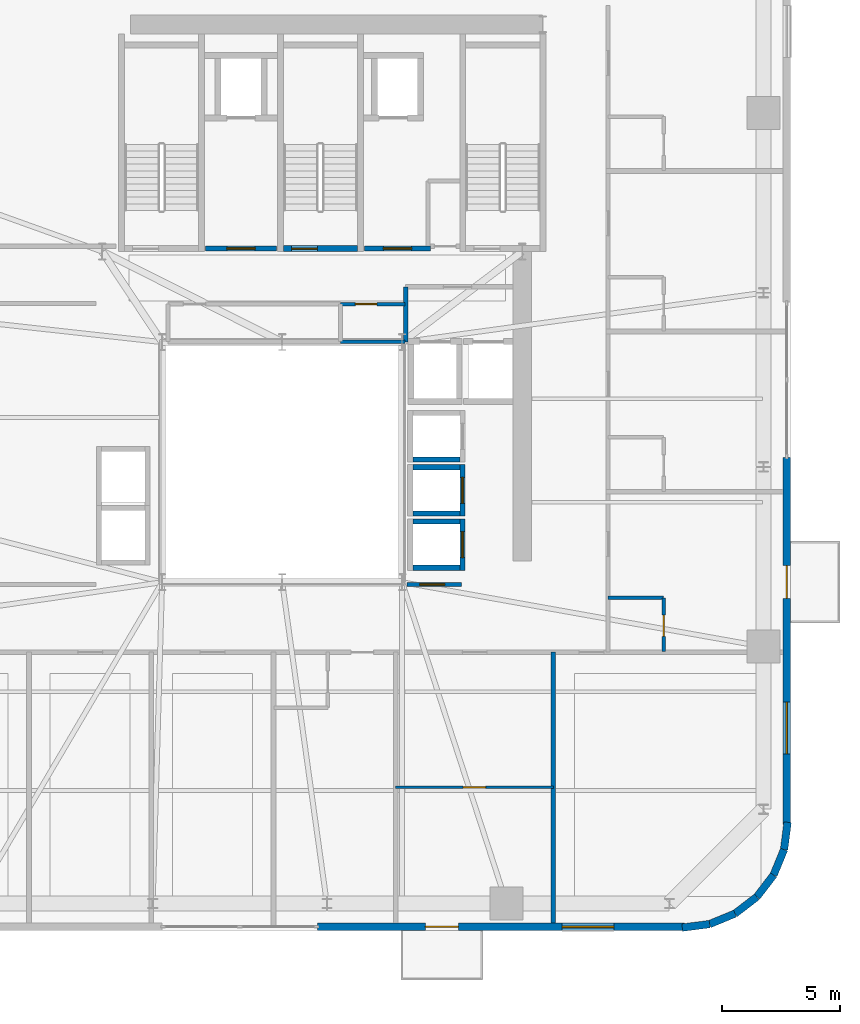
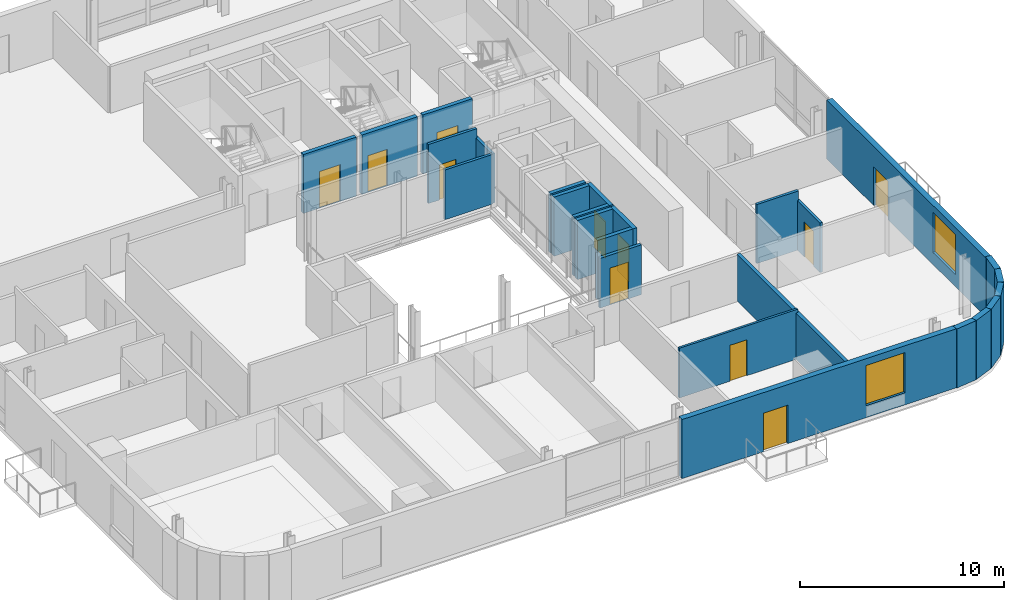
# One storey, part 9 of 16: 26 walls, 11 doors, 2 windows, 13 openings.
"""IFC4 building model written with IfcOpenShell, lengths in metres."""

from ifc_helpers import new_model, si_unit, direction, frame, frame_2d, origin, place, context, subcontext, project, spatial, rectangle, extrude, source, transform, mapped, material, layer, layer_set, type_object, element, fill, save


model = new_model("IFC4")

# Units and contexts
model_context = context("Model", 3, precision=1e-05, world=origin(), true_north=direction((0.0, 1.0)))
body_context = subcontext(model_context, "Body", "Model", "MODEL_VIEW")
ifc_project = project(units=[si_unit("LENGTHUNIT", "METRE"), si_unit("AREAUNIT", "SQUARE_METRE"), si_unit("VOLUMEUNIT", "CUBIC_METRE"), si_unit("PLANEANGLEUNIT", "RADIAN"), si_unit("MASSUNIT", "GRAM", prefix="KILO")], contexts=[model_context])

# Site, building, storey
site_placement = place(None, origin())
site = spatial("IfcSite", under=ifc_project, at=site_placement, CompositionType="ELEMENT")
building_placement = place(site_placement, origin())
building = spatial("IfcBuilding", under=site, at=building_placement, Name="Vardaveli Station Tower", CompositionType="ELEMENT")
storey_placement = place(building_placement, frame((0.0, 0.0, 199.800048828125)))
storey = spatial("IfcBuildingStorey", under=building, at=storey_placement, Name="L51", CompositionType="ELEMENT", Elevation=199.800048828125)

# Wall, openings, door, window
ifc_material_1 = material(Name="Precast concrete C45/55", Category="concrete")
ifc_layer_1 = layer(ifc_material_1, 0.320068359375, Name="Precast concrete C45/55")
ifc_layer_set_1 = layer_set([ifc_layer_1], Name="Precast concrete C45/55")
wall_type_1 = type_object("IfcWallType", Name="WAL-EXT-STONE-320", PredefinedType="SOLIDWALL", material=ifc_layer_set_1)
shared_shape_1 = source(origin(), body_context, "Body", "SweptSolid", [
    extrude(rectangle(XDim=15.599853515625, YDim=0.320068359375, at=frame_2d((7.7998046875, 0.0))), origin(), (0.0, 0.0, 1.0), 3.530029296875),
])
wall_1_placement = place(storey_placement, frame((37.800048828125, 1.9599609375, 0.0), z_axis=(0.0, 0.0, 1.0), x_axis=(1.0, 0.0, 0.0)))
wall_1 = element("IfcWall", 1, at=wall_1_placement, inside=storey, type_object=wall_type_1, Name="EW-L51-S2", PredefinedType="SOLIDWALL", context=body_context, shape_type="MappedRepresentation", body=[
    mapped(shared_shape_1, transform((0.0, 0.0, 0.0), scale=1.0)),
])
shared_shape_2 = source(origin(), body_context, "Body", "SweptSolid", [
    extrude(rectangle(XDim=1.39990234375, YDim=2.300048828125, at=frame_2d((0.699951171875, 1.14990234375))), frame((0.0, 0.169921875, 0.0), z_axis=(0.0, -1.0, 0.0), x_axis=(1.0, 0.0, 0.0)), (0.0, 0.0, 1.0), 0.340087890625),
])
opening_1_placement = place(wall_1_placement, frame((4.589599609375, 0.0, 0.0)))
opening_1 = element("IfcOpeningElement", 2, at=opening_1_placement, cuts=wall_1, Name="Opening D-09", PredefinedType="OPENING", context=body_context, shape_type="MappedRepresentation", body=[
    mapped(shared_shape_2, transform((0.0, 0.0, 0.0), scale=1.0)),
])
shared_shape_3 = source(origin(), body_context, "Body", "SweptSolid", [
    extrude(rectangle(XDim=2.199951171875, YDim=2.39990234375, at=frame_2d((1.10009765625, 1.199951171875))), frame((0.0, 0.169921875, 0.0), z_axis=(0.0, -1.0, 0.0), x_axis=(1.0, 0.0, 0.0)), (0.0, 0.0, 1.0), 0.340087890625),
])
opening_2_placement = place(wall_1_placement, frame((10.39501953125, 0.0, 0.719970703125)))
opening_2 = element("IfcOpeningElement", 3, at=opening_2_placement, cuts=wall_1, Name="Opening W-03", PredefinedType="OPENING", context=body_context, shape_type="MappedRepresentation", body=[
    mapped(shared_shape_3, transform((0.0, 0.0, 0.0), scale=1.0)),
])
ifc_material_2 = material(Name="Thermally broken aluminium glass", Category="aluminium")
door_type_1 = type_object("IfcDoorType", Name="DR-LOG-1400x2300", OperationType="DOUBLE_DOOR_SLIDING", PredefinedType="DOOR", material=ifc_material_2)
shared_shape_4 = source(origin(), body_context, "Body", "SweptSolid", [
    extrude(rectangle(XDim=1.39990234375, YDim=2.300048828125, at=frame_2d((0.699951171875, 1.14990234375))), frame((0.0, 0.02490234375, 0.0), z_axis=(0.0, -1.0, 0.0), x_axis=(1.0, 0.0, 0.0)), (0.0, 0.0, 1.0), 0.050048828125),
])
door_1_placement = place(opening_1_placement, frame((1.39990234375, 0.0, 0.0), z_axis=(0.0, 0.0, 1.0), x_axis=(-1.0, 0.0, 0.0)))
door_1 = element("IfcDoor", 4, at=door_1_placement, inside=storey, type_object=door_type_1, Name="DLG-L51-S", OperationType="DOUBLE_DOOR_SLIDING", OverallHeight=2.300048828125, OverallWidth=1.39990234375, PredefinedType="DOOR", context=body_context, shape_type="MappedRepresentation", body=[
    mapped(shared_shape_4, transform((0.0, 0.0, 0.0), scale=1.0)),
])
fill(opening_1, door_1)
ifc_material_3 = material(Name="Low-E solar-control glass", Category="glass")
window_type = type_object("IfcWindowType", Name="WIN-LOG-2200x2400", PartitioningType="SINGLE_PANEL", PredefinedType="WINDOW", material=ifc_material_3)
shared_shape_5 = source(origin(), body_context, "Body", "SweptSolid", [
    extrude(rectangle(XDim=2.199951171875, YDim=2.39990234375, at=frame_2d((1.10009765625, 1.199951171875))), frame((0.0, 0.030029296875, 0.0), z_axis=(0.0, -1.0, 0.0), x_axis=(1.0, 0.0, 0.0)), (0.0, 0.0, 1.0), 0.06005859375),
])
window_1_placement = place(opening_2_placement, origin())
window_1 = element("IfcWindow", 5, at=window_1_placement, inside=storey, type_object=window_type, Name="WN-L51-S2", OverallHeight=2.39990234375, OverallWidth=2.199951171875, PartitioningType="SINGLE_PANEL", PredefinedType="WINDOW", context=body_context, shape_type="MappedRepresentation", body=[
    mapped(shared_shape_5, transform((0.0, 0.0, 0.0), scale=1.0)),
])
fill(opening_2, window_1)

wall_2_placement = place(storey_placement, frame((57.739990234375, 6.300048828125, 0.0), z_axis=(0.0, 0.0, 1.0), x_axis=(0.0, 1.0, 0.0)))
wall_2 = element("IfcWall", 6, at=wall_2_placement, inside=storey, type_object=wall_type_1, Name="EW-L51-E1", PredefinedType="SOLIDWALL", context=body_context, shape_type="MappedRepresentation", body=[
    mapped(shared_shape_1, transform((0.0, 0.0, 0.0), scale=1.0)),
])
opening_3_placement = place(wall_2_placement, frame((9.6103515625, 0.0, 0.0)))
opening_3 = element("IfcOpeningElement", 7, at=opening_3_placement, cuts=wall_2, Name="Opening D-09", PredefinedType="OPENING", context=body_context, shape_type="MappedRepresentation", body=[
    mapped(shared_shape_2, transform((0.0, 0.0, 0.0), scale=1.0)),
])
opening_4_placement = place(wall_2_placement, frame((3.0048828125, 0.0, 0.719970703125)))
opening_4 = element("IfcOpeningElement", 8, at=opening_4_placement, cuts=wall_2, Name="Opening W-03", PredefinedType="OPENING", context=body_context, shape_type="MappedRepresentation", body=[
    mapped(shared_shape_3, transform((0.0, 0.0, 0.0), scale=1.0)),
])
door_2_placement = place(opening_3_placement, frame((1.39990234375, 0.0, 0.0), z_axis=(0.0, 0.0, 1.0), x_axis=(-1.0, 0.0, 0.0)))
door_2 = element("IfcDoor", 9, at=door_2_placement, inside=storey, type_object=door_type_1, Name="DLG-L51-E", OperationType="DOUBLE_DOOR_SLIDING", OverallHeight=2.300048828125, OverallWidth=1.39990234375, PredefinedType="DOOR", context=body_context, shape_type="MappedRepresentation", body=[
    mapped(shared_shape_4, transform((0.0, 0.0, 0.0), scale=1.0)),
])
fill(opening_3, door_2)
window_2_placement = place(opening_4_placement, origin())
window_2 = element("IfcWindow", 10, at=window_2_placement, inside=storey, type_object=window_type, Name="WN-L51-E1", OverallHeight=2.39990234375, OverallWidth=2.199951171875, PartitioningType="SINGLE_PANEL", PredefinedType="WINDOW", context=body_context, shape_type="MappedRepresentation", body=[
    mapped(shared_shape_5, transform((0.0, 0.0, 0.0), scale=1.0)),
])
fill(opening_4, window_2)

# Walls
shared_shape_6 = source(origin(), body_context, "Body", "SweptSolid", [
    extrude(rectangle(XDim=1.170654296875, YDim=0.320068359375, at=frame_2d((0.58544921875, 0.0))), origin(), (0.0, 0.0, 1.0), 3.530029296875),
])
wall_3_placement = place(storey_placement, frame((57.62548828125, 5.23974609375, 0.0), z_axis=(0.0, 0.0, 1.0), x_axis=(0.128269133229, 0.991739395941, 0.0)))
element("IfcWall", 11, at=wall_3_placement, inside=storey, type_object=wall_type_1, Name="EW-L51-CR2-6", PredefinedType="SOLIDWALL", context=body_context, shape_type="MappedRepresentation", body=[
    mapped(shared_shape_6, transform((0.0, 0.0, 0.0), scale=1.0)),
])
shared_shape_7 = source(origin(), body_context, "Body", "SweptSolid", [
    extrude(rectangle(XDim=1.1689453125, YDim=0.320068359375, at=frame_2d((0.58447265625, 0.0))), origin(), (0.0, 0.0, 1.0), 3.530029296875),
])
for number, where, z_axis, x_axis, name in (
    (12, (56.46875, 3.231201171875, 0.0), (0.0, 0.0, 1.0), (0.608387696831, 0.793639975269, 0.0), "EW-L51-CR2-4"),
    (13, (57.179931640625, 4.158935546875, 0.0), (0.0, 0.0, 1.0), (0.381127904695, 0.924522320046, 0.0), "EW-L51-CR2-5"),
):
    element("IfcWall", number, at=place(storey_placement, frame(where, z_axis=z_axis, x_axis=x_axis)), inside=storey, type_object=wall_type_1, Name=name, PredefinedType="SOLIDWALL", context=body_context, shape_type="MappedRepresentation", body=[
        mapped(shared_shape_7, transform((0.0, 0.0, 0.0), scale=1.0)),
    ])
shared_shape_8 = source(origin(), body_context, "Body", "SweptSolid", [
    extrude(rectangle(XDim=1.168701171875, YDim=0.320068359375, at=frame_2d((0.58447265625, 0.0))), origin(), (0.0, 0.0, 1.0), 3.530029296875),
])
wall_4_placement = place(storey_placement, frame((55.541259765625, 2.520263671875, 0.0), z_axis=(0.0, 0.0, 1.0), x_axis=(0.793663520347, 0.608356981114, 0.0)))
element("IfcWall", 14, at=wall_4_placement, inside=storey, type_object=wall_type_1, Name="EW-L51-CR2-3", PredefinedType="SOLIDWALL", context=body_context, shape_type="MappedRepresentation", body=[
    mapped(shared_shape_8, transform((0.0, 0.0, 0.0), scale=1.0)),
])
shared_shape_9 = source(origin(), body_context, "Body", "SweptSolid", [
    extrude(rectangle(XDim=1.16943359375, YDim=0.320068359375, at=frame_2d((0.584716796875, 0.0))), origin(), (0.0, 0.0, 1.0), 3.530029296875),
])
wall_5_placement = place(storey_placement, frame((54.460205078125, 2.074462890625, 0.0), z_axis=(0.0, 0.0, 1.0), x_axis=(0.924479075121, 0.381232789334, 0.0)))
element("IfcWall", 15, at=wall_5_placement, inside=storey, type_object=wall_type_1, Name="EW-L51-CR2-2", PredefinedType="SOLIDWALL", context=body_context, shape_type="MappedRepresentation", body=[
    mapped(shared_shape_9, transform((0.0, 0.0, 0.0), scale=1.0)),
])
shared_shape_10 = source(origin(), body_context, "Body", "SweptSolid", [
    extrude(rectangle(XDim=1.170166015625, YDim=0.320068359375, at=frame_2d((0.5849609375, 0.0))), origin(), (0.0, 0.0, 1.0), 3.530029296875),
])
wall_6_placement = place(storey_placement, frame((53.299560546875, 1.924560546875, 0.0), z_axis=(0.0, 0.0, 1.0), x_axis=(0.991762485493, 0.128090485085, 0.0)))
element("IfcWall", 16, at=wall_6_placement, inside=storey, type_object=wall_type_1, Name="EW-L51-CR2-1", PredefinedType="SOLIDWALL", context=body_context, shape_type="MappedRepresentation", body=[
    mapped(shared_shape_10, transform((0.0, 0.0, 0.0), scale=1.0)),
])

# Wall, opening, door
ifc_material_4 = material(Name="Concrete C40/50", Category="concrete")
ifc_layer_2 = layer(ifc_material_4, 0.25, Name="Concrete C40/50")
ifc_layer_set_2 = layer_set([ifc_layer_2], Name="Concrete C40/50")
wall_type_2 = type_object("IfcWallType", Name="WAL-SHAFT-250", PredefinedType="SOLIDWALL", material=ifc_layer_set_2)
shared_shape_11 = source(origin(), body_context, "Body", "SweptSolid", [
    extrude(rectangle(XDim=3.14990234375, YDim=0.25, at=frame_2d((1.574951171875, 0.0))), origin(), (0.0, 0.0, 1.0), 3.550048828125),
])
wall_7_placement = place(storey_placement, frame((36.35009765625, 30.77490234375, 0.0), z_axis=(0.0, 0.0, 1.0), x_axis=(1.0, 0.0, 0.0)))
wall_7 = element("IfcWall", 17, at=wall_7_placement, inside=storey, type_object=wall_type_2, Name="W-L51-ST-2S", PredefinedType="SOLIDWALL", context=body_context, shape_type="MappedRepresentation", body=[
    mapped(shared_shape_11, transform((0.0, 0.0, 0.0), scale=1.0)),
])
shared_shape_12 = source(origin(), body_context, "Body", "SweptSolid", [
    extrude(rectangle(XDim=1.10009765625, YDim=2.199951171875, at=frame_2d((0.550048828125, 1.10009765625))), frame((0.0, 0.135009765625, 0.0), z_axis=(0.0, -1.0, 0.0), x_axis=(1.0, 0.0, 0.0)), (0.0, 0.0, 1.0), 0.27001953125),
])
opening_5_placement = place(wall_7_placement, frame((0.35009765625, 0.0, 0.0)))
opening_5 = element("IfcOpeningElement", 18, at=opening_5_placement, cuts=wall_7, Name="Opening D-04", PredefinedType="OPENING", context=body_context, shape_type="MappedRepresentation", body=[
    mapped(shared_shape_12, transform((0.0, 0.0, 0.0), scale=1.0)),
])
ifc_material_5 = material(Name="Steel smokeproof fire doorset", Category="steel")
door_type_2 = type_object("IfcDoorType", Name="DR-ST-1100x2200", OperationType="NOTDEFINED", PredefinedType="DOOR", material=ifc_material_5)
shared_shape_13 = source(origin(), body_context, "Body", "SweptSolid", [
    extrude(rectangle(XDim=1.10009765625, YDim=2.199951171875, at=frame_2d((0.550048828125, 1.10009765625))), frame((0.0, 0.02490234375, 0.0), z_axis=(0.0, -1.0, 0.0), x_axis=(1.0, 0.0, 0.0)), (0.0, 0.0, 1.0), 0.050048828125),
])
door_3_placement = place(opening_5_placement, origin())
door_3 = element("IfcDoor", 19, at=door_3_placement, inside=storey, type_object=door_type_2, Name="DST-2-L51", OperationType="SINGLE_SWING_LEFT", OverallHeight=2.199951171875, OverallWidth=1.10009765625, PredefinedType="DOOR", context=body_context, shape_type="MappedRepresentation", body=[
    mapped(shared_shape_13, transform((0.0, 0.0, 0.0), scale=1.0)),
])
fill(opening_5, door_3)

ifc_layer_3 = layer(ifc_material_4, 0.219970703125, Name="Concrete C40/50")
ifc_layer_set_3 = layer_set([ifc_layer_3], Name="Concrete C40/50")
wall_type_3 = type_object("IfcWallType", Name="WAL-FFLOBBY-220", PredefinedType="SOLIDWALL", material=ifc_layer_set_3)
shared_shape_14 = source(origin(), body_context, "Body", "SweptSolid", [
    extrude(rectangle(XDim=3.0, YDim=0.219970703125, at=frame_2d((1.5, 0.0))), origin(), (0.0, 0.0, 1.0), 3.530029296875),
])
wall_8_placement = place(storey_placement, frame((33.050048828125, 30.780029296875, 0.0), z_axis=(0.0, 0.0, 1.0), x_axis=(1.0, 0.0, 0.0)))
wall_8 = element("IfcWall", 20, at=wall_8_placement, inside=storey, type_object=wall_type_3, Name="W-L51-FFL1S", PredefinedType="SOLIDWALL", context=body_context, shape_type="MappedRepresentation", body=[
    mapped(shared_shape_14, transform((0.0, 0.0, 0.0), scale=1.0)),
])
shared_shape_15 = source(origin(), body_context, "Body", "SweptSolid", [
    extrude(rectangle(XDim=1.199951171875, YDim=2.199951171875, at=frame_2d((0.60009765625, 1.10009765625))), frame((0.0, 0.1201171875, 0.0), z_axis=(0.0, -1.0, 0.0), x_axis=(1.0, 0.0, 0.0)), (0.0, 0.0, 1.0), 0.239990234375),
])
opening_6_placement = place(wall_8_placement, frame((0.89990234375, 0.0, 0.0)))
opening_6 = element("IfcOpeningElement", 21, at=opening_6_placement, cuts=wall_8, Name="Opening D-03", PredefinedType="OPENING", context=body_context, shape_type="MappedRepresentation", body=[
    mapped(shared_shape_15, transform((0.0, 0.0, 0.0), scale=1.0)),
])
door_type_3 = type_object("IfcDoorType", Name="DR-FFL-1200x2200", OperationType="NOTDEFINED", PredefinedType="DOOR", material=ifc_material_5)
shared_shape_16 = source(origin(), body_context, "Body", "SweptSolid", [
    extrude(rectangle(XDim=1.199951171875, YDim=2.199951171875, at=frame_2d((0.60009765625, 1.10009765625))), frame((0.0, 0.02490234375, 0.0), z_axis=(0.0, -1.0, 0.0), x_axis=(1.0, 0.0, 0.0)), (0.0, 0.0, 1.0), 0.050048828125),
])
door_4_placement = place(opening_6_placement, origin())
door_4 = element("IfcDoor", 22, at=door_4_placement, inside=storey, type_object=door_type_3, Name="DFFL1-L51", OperationType="SINGLE_SWING_LEFT", OverallHeight=2.199951171875, OverallWidth=1.199951171875, PredefinedType="DOOR", context=body_context, shape_type="MappedRepresentation", body=[
    mapped(shared_shape_16, transform((0.0, 0.0, 0.0), scale=1.0)),
])
fill(opening_6, door_4)

shared_shape_17 = source(origin(), body_context, "Body", "SweptSolid", [
    extrude(rectangle(XDim=2.800048828125, YDim=0.219970703125, at=frame_2d((1.39990234375, 0.0))), origin(), (0.0, 0.0, 1.0), 3.530029296875),
])
wall_9_placement = place(storey_placement, frame((39.800048828125, 30.780029296875, 0.0), z_axis=(0.0, 0.0, 1.0), x_axis=(1.0, 0.0, 0.0)))
wall_9 = element("IfcWall", 23, at=wall_9_placement, inside=storey, type_object=wall_type_3, Name="W-L51-FFL2S", PredefinedType="SOLIDWALL", context=body_context, shape_type="MappedRepresentation", body=[
    mapped(shared_shape_17, transform((0.0, 0.0, 0.0), scale=1.0)),
])
opening_7_placement = place(wall_9_placement, frame((0.800048828125, 0.0, 0.0)))
opening_7 = element("IfcOpeningElement", 24, at=opening_7_placement, cuts=wall_9, Name="Opening D-03", PredefinedType="OPENING", context=body_context, shape_type="MappedRepresentation", body=[
    mapped(shared_shape_15, transform((0.0, 0.0, 0.0), scale=1.0)),
])
door_5_placement = place(opening_7_placement, origin())
door_5 = element("IfcDoor", 25, at=door_5_placement, inside=storey, type_object=door_type_3, Name="DFFL2-L51", OperationType="SINGLE_SWING_RIGHT", OverallHeight=2.199951171875, OverallWidth=1.199951171875, PredefinedType="DOOR", context=body_context, shape_type="MappedRepresentation", body=[
    mapped(shared_shape_16, transform((0.0, 0.0, 0.0), scale=1.0)),
])
fill(opening_7, door_5)

# Walls
shared_shape_18 = source(origin(), body_context, "Body", "SweptSolid", [
    extrude(rectangle(XDim=2.0, YDim=0.219970703125, at=frame_2d((1.0, 0.0))), origin(), (0.0, 0.0, 1.0), 3.530029296875),
])
for number, where, z_axis, x_axis, name in (
    (26, (41.85009765625, 21.81494140625, 0.0), (0.0, 0.0, 1.0), (1.0, 0.0, 0.0), "SHW-HL3-01-L51-S"),
    (27, (41.85009765625, 19.514892578125, 0.0), (0.0, 0.0, 1.0), (1.0, 0.0, 0.0), "SHW-HL3-02-L51-S"),
    (28, (41.85009765625, 21.485107421875, 0.0), (0.0, 0.0, 1.0), (1.0, 0.0, 0.0), "SHW-HL3-02-L51-N"),
    (29, (41.85009765625, 17.215087890625, 0.0), (0.0, 0.0, 1.0), (1.0, 0.0, 0.0), "SHW-HL3-03-L51-S"),
    (30, (41.85009765625, 19.18505859375, 0.0), (0.0, 0.0, 1.0), (1.0, 0.0, 0.0), "SHW-HL3-03-L51-N"),
):
    element("IfcWall", number, at=place(storey_placement, frame(where, z_axis=z_axis, x_axis=x_axis)), inside=storey, type_object=wall_type_3, Name=name, PredefinedType="SOLIDWALL", context=body_context, shape_type="MappedRepresentation", body=[
        mapped(shared_shape_18, transform((0.0, 0.0, 0.0), scale=1.0)),
    ])

# Wall, opening, door
shared_shape_19 = source(origin(), body_context, "Body", "SweptSolid", [
    extrude(rectangle(XDim=2.18994140625, YDim=0.219970703125, at=frame_2d((1.094970703125, 0.0))), origin(), (0.0, 0.0, 1.0), 3.530029296875),
])
wall_10_placement = place(storey_placement, frame((43.9599609375, 19.405029296875, 0.0), z_axis=(0.0, 0.0, 1.0), x_axis=(0.0, 1.0, 0.0)))
wall_10 = element("IfcWall", 31, at=wall_10_placement, inside=storey, type_object=wall_type_3, Name="SHW-HL3-02-L51-E", PredefinedType="SOLIDWALL", context=body_context, shape_type="MappedRepresentation", body=[
    mapped(shared_shape_19, transform((0.0, 0.0, 0.0), scale=1.0)),
])
shared_shape_20 = source(origin(), body_context, "Body", "SweptSolid", [
    extrude(rectangle(XDim=1.10009765625, YDim=2.199951171875, at=frame_2d((0.550048828125, 1.10009765625))), frame((0.0, 0.1201171875, 0.0), z_axis=(0.0, -1.0, 0.0), x_axis=(1.0, 0.0, 0.0)), (0.0, 0.0, 1.0), 0.239990234375),
])
opening_8_placement = place(wall_10_placement, frame((0.544921875, 0.0, 0.0)))
opening_8 = element("IfcOpeningElement", 32, at=opening_8_placement, cuts=wall_10, Name="Opening LD-01", PredefinedType="OPENING", context=body_context, shape_type="MappedRepresentation", body=[
    mapped(shared_shape_20, transform((0.0, 0.0, 0.0), scale=1.0)),
])
ifc_material_6 = material(Name="Brushed stainless steel", Category="steel")
door_type_4 = type_object("IfcDoorType", Name="DR-LD-1100x2200", OperationType="DOUBLE_DOOR_SLIDING", PredefinedType="DOOR", material=ifc_material_6)
door_6_placement = place(opening_8_placement, origin())
door_6 = element("IfcDoor", 33, at=door_6_placement, inside=storey, type_object=door_type_4, Name="LD-HL3-02-L51", OperationType="DOUBLE_DOOR_SLIDING", OverallHeight=2.199951171875, OverallWidth=1.10009765625, PredefinedType="DOOR", context=body_context, shape_type="MappedRepresentation", body=[
    mapped(shared_shape_13, transform((0.0, 0.0, 0.0), scale=1.0)),
])
fill(opening_8, door_6)

wall_11_placement = place(storey_placement, frame((43.9599609375, 17.10498046875, 0.0), z_axis=(0.0, 0.0, 1.0), x_axis=(0.0, 1.0, 0.0)))
wall_11 = element("IfcWall", 34, at=wall_11_placement, inside=storey, type_object=wall_type_3, Name="SHW-HL3-03-L51-E", PredefinedType="SOLIDWALL", context=body_context, shape_type="MappedRepresentation", body=[
    mapped(shared_shape_19, transform((0.0, 0.0, 0.0), scale=1.0)),
])
opening_9_placement = place(wall_11_placement, frame((0.544921875, 0.0, 0.0)))
opening_9 = element("IfcOpeningElement", 35, at=opening_9_placement, cuts=wall_11, Name="Opening LD-01", PredefinedType="OPENING", context=body_context, shape_type="MappedRepresentation", body=[
    mapped(shared_shape_20, transform((0.0, 0.0, 0.0), scale=1.0)),
])
door_7_placement = place(opening_9_placement, origin())
door_7 = element("IfcDoor", 36, at=door_7_placement, inside=storey, type_object=door_type_4, Name="LD-HL3-03-L51", OperationType="DOUBLE_DOOR_SLIDING", OverallHeight=2.199951171875, OverallWidth=1.10009765625, PredefinedType="DOOR", context=body_context, shape_type="MappedRepresentation", body=[
    mapped(shared_shape_13, transform((0.0, 0.0, 0.0), scale=1.0)),
])
fill(opening_9, door_7)

ifc_material_7 = material(Name="Fire-rated gypsum stud partition")
ifc_layer_4 = layer(ifc_material_7, 0.179931640625, Name="Fire-rated gypsum stud partition")
ifc_layer_set_4 = layer_set([ifc_layer_4], Name="Fire-rated gypsum stud partition")
wall_type_4 = type_object("IfcWallType", Name="WAL-CORR-180", PredefinedType="PARTITIONING", material=ifc_layer_set_4)
shared_shape_21 = source(origin(), body_context, "Body", "SweptSolid", [
    extrude(rectangle(XDim=2.329833984375, YDim=0.179931640625, at=frame_2d((1.1650390625, 0.0))), origin(), (0.0, 0.0, 1.0), 2.971923828125),
])
wall_12_placement = place(storey_placement, frame((41.60009765625, 16.5, 0.0), z_axis=(0.0, 0.0, 1.0), x_axis=(1.0, 0.0, 0.0)))
wall_12 = element("IfcWall", 37, at=wall_12_placement, inside=storey, type_object=wall_type_4, Name="W-L51-ATE-S", PredefinedType="PARTITIONING", context=body_context, shape_type="MappedRepresentation", body=[
    mapped(shared_shape_21, transform((0.0, 0.0, 0.0), scale=1.0)),
])
shared_shape_22 = source(origin(), body_context, "Body", "SweptSolid", [
    extrude(rectangle(XDim=1.050048828125, YDim=2.199951171875, at=frame_2d((0.52490234375, 1.10009765625))), frame((0.0, 0.10009765625, 0.0), z_axis=(0.0, -1.0, 0.0), x_axis=(1.0, 0.0, 0.0)), (0.0, 0.0, 1.0), 0.199951171875),
])
opening_10_placement = place(wall_12_placement, frame((0.550048828125, 0.0, 0.0)))
opening_10 = element("IfcOpeningElement", 38, at=opening_10_placement, cuts=wall_12, Name="Opening D-05", PredefinedType="OPENING", context=body_context, shape_type="MappedRepresentation", body=[
    mapped(shared_shape_22, transform((0.0, 0.0, 0.0), scale=1.0)),
])
ifc_material_8 = material(Name="Walnut veneer acoustic fire door")
door_type_5 = type_object("IfcDoorType", Name="DR-SUITE-1050x2200", OperationType="NOTDEFINED", PredefinedType="DOOR", material=ifc_material_8)
shared_shape_23 = source(origin(), body_context, "Body", "SweptSolid", [
    extrude(rectangle(XDim=1.050048828125, YDim=2.199951171875, at=frame_2d((0.52490234375, 1.10009765625))), frame((0.0, 0.02490234375, 0.0), z_axis=(0.0, -1.0, 0.0), x_axis=(1.0, 0.0, 0.0)), (0.0, 0.0, 1.0), 0.050048828125),
])
door_8_placement = place(opening_10_placement, origin())
door_8 = element("IfcDoor", 39, at=door_8_placement, inside=storey, type_object=door_type_5, Name="D-L51-ATE1", OperationType="SINGLE_SWING_RIGHT", OverallHeight=2.199951171875, OverallWidth=1.050048828125, PredefinedType="DOOR", context=body_context, shape_type="MappedRepresentation", body=[
    mapped(shared_shape_23, transform((0.0, 0.0, 0.0), scale=1.0)),
])
fill(opening_10, door_8)

ifc_material_9 = material(Name="Moisture-resistant stud partition")
ifc_layer_5 = layer(ifc_material_9, 0.14990234375, Name="Moisture-resistant stud partition")
ifc_layer_set_5 = layer_set([ifc_layer_5], Name="Moisture-resistant stud partition")
wall_type_5 = type_object("IfcWallType", Name="WAL-WET-150", PredefinedType="PARTITIONING", material=ifc_layer_set_5)
shared_shape_24 = source(origin(), body_context, "Body", "SweptSolid", [
    extrude(rectangle(XDim=2.2900390625, YDim=0.14990234375, at=frame_2d((1.14501953125, 0.0))), origin(), (0.0, 0.0, 1.0), 2.971923828125),
])
wall_13_placement = place(storey_placement, frame((52.510009765625, 13.64990234375, 0.0), z_axis=(0.0, 0.0, 1.0), x_axis=(0.0, 1.0, 0.0)))
wall_13 = element("IfcWall", 40, at=wall_13_placement, inside=storey, type_object=wall_type_5, Name="W-L51-BE1-E", PredefinedType="PARTITIONING", context=body_context, shape_type="MappedRepresentation", body=[
    mapped(shared_shape_24, transform((0.0, 0.0, 0.0), scale=1.0)),
])
shared_shape_25 = source(origin(), body_context, "Body", "SweptSolid", [
    extrude(rectangle(XDim=0.89990234375, YDim=2.10009765625, at=frame_2d((0.449951171875, 1.050048828125))), frame((0.0, 0.0849609375, 0.0), z_axis=(0.0, -1.0, 0.0), x_axis=(1.0, 0.0, 0.0)), (0.0, 0.0, 1.0), 0.169921875),
])
opening_11_placement = place(wall_13_placement, frame((0.64990234375, 0.0, 0.0)))
opening_11 = element("IfcOpeningElement", 41, at=opening_11_placement, cuts=wall_13, Name="Opening D-08", PredefinedType="OPENING", context=body_context, shape_type="MappedRepresentation", body=[
    mapped(shared_shape_25, transform((0.0, 0.0, 0.0), scale=1.0)),
])
ifc_material_10 = material(Name="Moisture-resistant oak door")
door_type_6 = type_object("IfcDoorType", Name="DR-BATH-900x2100", OperationType="NOTDEFINED", PredefinedType="DOOR", material=ifc_material_10)
shared_shape_26 = source(origin(), body_context, "Body", "SweptSolid", [
    extrude(rectangle(XDim=0.89990234375, YDim=2.10009765625, at=frame_2d((0.449951171875, 1.050048828125))), frame((0.0, 0.02490234375, 0.0), z_axis=(0.0, -1.0, 0.0), x_axis=(1.0, 0.0, 0.0)), (0.0, 0.0, 1.0), 0.050048828125),
])
door_9_placement = place(opening_11_placement, origin())
door_9 = element("IfcDoor", 42, at=door_9_placement, inside=storey, type_object=door_type_6, Name="D-L51-BE1", OperationType="SINGLE_SWING_RIGHT", OverallHeight=2.10009765625, OverallWidth=0.89990234375, PredefinedType="DOOR", context=body_context, shape_type="MappedRepresentation", body=[
    mapped(shared_shape_26, transform((0.0, 0.0, 0.0), scale=1.0)),
])
fill(opening_11, door_9)

# Walls
shared_shape_27 = source(origin(), body_context, "Body", "SweptSolid", [
    extrude(rectangle(XDim=2.360107421875, YDim=0.14990234375, at=frame_2d((1.18017578125, 0.0))), origin(), (0.0, 0.0, 1.0), 3.530029296875),
])
wall_14_placement = place(storey_placement, frame((50.14990234375, 15.93994140625, 0.0), z_axis=(0.0, 0.0, 1.0), x_axis=(1.0, 0.0, 0.0)))
element("IfcWall", 43, at=wall_14_placement, inside=storey, type_object=wall_type_5, Name="W-L51-BE1-N", PredefinedType="PARTITIONING", context=body_context, shape_type="MappedRepresentation", body=[
    mapped(shared_shape_27, transform((0.0, 0.0, 0.0), scale=1.0)),
])
shared_shape_28 = source(origin(), body_context, "Body", "SweptSolid", [
    extrude(rectangle(XDim=2.349853515625, YDim=0.179931640625, at=frame_2d((1.1748046875, 0.0))), origin(), (0.0, 0.0, 1.0), 2.971923828125),
])
wall_15_placement = place(storey_placement, frame((41.550048828125, 26.800048828125, 0.0), z_axis=(0.0, 0.0, 1.0), x_axis=(0.0, 1.0, 0.0)))
element("IfcWall", 44, at=wall_15_placement, inside=storey, type_object=wall_type_4, Name="W-L51-SVFW", PredefinedType="PARTITIONING", context=body_context, shape_type="MappedRepresentation", body=[
    mapped(shared_shape_28, transform((0.0, 0.0, 0.0), scale=1.0)),
])

# Wall, opening, door
shared_shape_29 = source(origin(), body_context, "Body", "SweptSolid", [
    extrude(rectangle(XDim=2.739990234375, YDim=0.14990234375, at=frame_2d((1.3701171875, 0.0))), origin(), (0.0, 0.0, 1.0), 3.530029296875),
])
wall_16_placement = place(storey_placement, frame((38.780029296875, 28.419921875, 0.0), z_axis=(0.0, 0.0, 1.0), x_axis=(1.0, 0.0, 0.0)))
wall_16 = element("IfcWall", 45, at=wall_16_placement, inside=storey, type_object=wall_type_5, Name="W-L51-WCA0-N", PredefinedType="PARTITIONING", context=body_context, shape_type="MappedRepresentation", body=[
    mapped(shared_shape_29, transform((0.0, 0.0, 0.0), scale=1.0)),
])
shared_shape_30 = source(origin(), body_context, "Body", "SweptSolid", [
    extrude(rectangle(XDim=0.919921875, YDim=2.10009765625, at=frame_2d((0.4599609375, 1.050048828125))), frame((0.0, 0.0849609375, 0.0), z_axis=(0.0, -1.0, 0.0), x_axis=(1.0, 0.0, 0.0)), (0.0, 0.0, 1.0), 0.169921875),
])
opening_12_placement = place(wall_16_placement, frame((0.6298828125, 0.0, 0.0)))
opening_12 = element("IfcOpeningElement", 46, at=opening_12_placement, cuts=wall_16, Name="Opening D-07", PredefinedType="OPENING", context=body_context, shape_type="MappedRepresentation", body=[
    mapped(shared_shape_30, transform((0.0, 0.0, 0.0), scale=1.0)),
])
ifc_material_11 = material(Name="Moisture-resistant hardwood door", Category="wood")
door_type_7 = type_object("IfcDoorType", Name="DR-WC-920x2100", OperationType="NOTDEFINED", PredefinedType="DOOR", material=ifc_material_11)
shared_shape_31 = source(origin(), body_context, "Body", "SweptSolid", [
    extrude(rectangle(XDim=0.919921875, YDim=2.10009765625, at=frame_2d((0.4599609375, 1.050048828125))), frame((0.0, 0.02490234375, 0.0), z_axis=(0.0, -1.0, 0.0), x_axis=(1.0, 0.0, 0.0)), (0.0, 0.0, 1.0), 0.050048828125),
])
door_10_placement = place(opening_12_placement, origin())
door_10 = element("IfcDoor", 47, at=door_10_placement, inside=storey, type_object=door_type_7, Name="D-L51-WCA", OperationType="SINGLE_SWING_RIGHT", OverallHeight=2.10009765625, OverallWidth=0.919921875, PredefinedType="DOOR", context=body_context, shape_type="MappedRepresentation", body=[
    mapped(shared_shape_31, transform((0.0, 0.0, 0.0), scale=1.0)),
])
fill(opening_12, door_10)

# Wall
shared_shape_32 = source(origin(), body_context, "Body", "SweptSolid", [
    extrude(rectangle(XDim=2.739990234375, YDim=0.14990234375, at=frame_2d((1.3701171875, 0.0))), origin(), (0.0, 0.0, 1.0), 2.971923828125),
])
wall_17_placement = place(storey_placement, frame((38.780029296875, 26.820068359375, 0.0), z_axis=(0.0, 0.0, 1.0), x_axis=(1.0, 0.0, 0.0)))
element("IfcWall", 48, at=wall_17_placement, inside=storey, type_object=wall_type_5, Name="W-L51-WCA0-S", PredefinedType="PARTITIONING", context=body_context, shape_type="MappedRepresentation", body=[
    mapped(shared_shape_32, transform((0.0, 0.0, 0.0), scale=1.0)),
])

# Wall, opening, door
ifc_material_12 = material(Name="Gypsum board stud partition")
ifc_layer_6 = layer(ifc_material_12, 0.125, Name="Gypsum board stud partition")
ifc_layer_set_6 = layer_set([ifc_layer_6], Name="Gypsum board stud partition")
wall_type_6 = type_object("IfcWallType", Name="WAL-INT-125", PredefinedType="PARTITIONING", material=ifc_layer_set_6)
shared_shape_33 = source(origin(), body_context, "Body", "SweptSolid", [
    extrude(rectangle(XDim=6.694091796875, YDim=0.125, at=frame_2d((3.34716796875, 0.0))), origin(), (0.0, 0.0, 1.0), 2.971923828125),
])
wall_18_placement = place(storey_placement, frame((41.1259765625, 7.889892578125, 0.0), z_axis=(0.0, 0.0, 1.0), x_axis=(1.0, 0.0, 0.0)))
wall_18 = element("IfcWall", 49, at=wall_18_placement, inside=storey, type_object=wall_type_6, Name="W-L51-SCM6", PredefinedType="PARTITIONING", context=body_context, shape_type="MappedRepresentation", body=[
    mapped(shared_shape_33, transform((0.0, 0.0, 0.0), scale=1.0)),
])
shared_shape_34 = source(origin(), body_context, "Body", "SweptSolid", [
    extrude(rectangle(XDim=0.949951171875, YDim=2.14990234375, at=frame_2d((0.47509765625, 1.074951171875))), frame((0.0, 0.072509765625, 0.0), z_axis=(0.0, -1.0, 0.0), x_axis=(1.0, 0.0, 0.0)), (0.0, 0.0, 1.0), 0.14501953125),
])
opening_13_placement = place(wall_18_placement, frame((2.866943359375, 0.0, 0.0)))
opening_13 = element("IfcOpeningElement", 50, at=opening_13_placement, cuts=wall_18, Name="Opening D-11", PredefinedType="OPENING", context=body_context, shape_type="MappedRepresentation", body=[
    mapped(shared_shape_34, transform((0.0, 0.0, 0.0), scale=1.0)),
])
ifc_material_13 = material(Name="Oak veneer internal suite door")
door_type_8 = type_object("IfcDoorType", Name="DR-INT-950x2150", OperationType="NOTDEFINED", PredefinedType="DOOR", material=ifc_material_13)
shared_shape_35 = source(origin(), body_context, "Body", "SweptSolid", [
    extrude(rectangle(XDim=0.949951171875, YDim=2.14990234375, at=frame_2d((0.47509765625, 1.074951171875))), frame((0.0, 0.02490234375, 0.0), z_axis=(0.0, -1.0, 0.0), x_axis=(1.0, 0.0, 0.0)), (0.0, 0.0, 1.0), 0.050048828125),
])
door_11_placement = place(opening_13_placement, origin())
door_11 = element("IfcDoor", 51, at=door_11_placement, inside=storey, type_object=door_type_8, Name="D-L51-SCF6", OperationType="SINGLE_SWING_LEFT", OverallHeight=2.14990234375, OverallWidth=0.949951171875, PredefinedType="DOOR", context=body_context, shape_type="MappedRepresentation", body=[
    mapped(shared_shape_35, transform((0.0, 0.0, 0.0), scale=1.0)),
])
fill(opening_13, door_11)

# Wall
ifc_material_14 = material(Name="Acoustic twin-stud gypsum partition")
ifc_layer_7 = layer(ifc_material_14, 0.199951171875, Name="Acoustic twin-stud gypsum partition")
ifc_layer_set_7 = layer_set([ifc_layer_7], Name="Acoustic twin-stud gypsum partition")
wall_type_7 = type_object("IfcWallType", Name="WAL-PARTY-200", PredefinedType="PARTITIONING", material=ifc_layer_set_7)
shared_shape_36 = source(origin(), body_context, "Body", "SweptSolid", [
    extrude(rectangle(XDim=11.5078125, YDim=0.199951171875, at=frame_2d((5.75390625, 0.0))), origin(), (0.0, 0.0, 1.0), 2.77197265625),
])
wall_19_placement = place(storey_placement, frame((47.820068359375, 2.1220703125, 0.0), z_axis=(0.0, 0.0, 1.0), x_axis=(0.0, 1.0, 0.0)))
element("IfcWall", 52, at=wall_19_placement, inside=storey, type_object=wall_type_7, Name="W-L51-PS6", PredefinedType="PARTITIONING", context=body_context, shape_type="MappedRepresentation", body=[
    mapped(shared_shape_36, transform((0.0, 0.0, 0.0), scale=1.0)),
])

save(model, "model.ifc")
